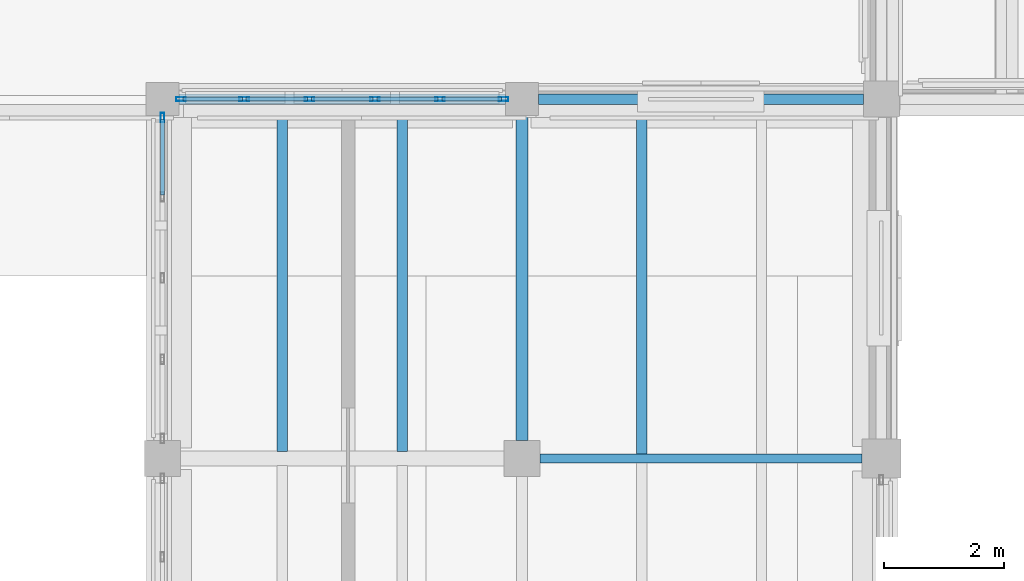
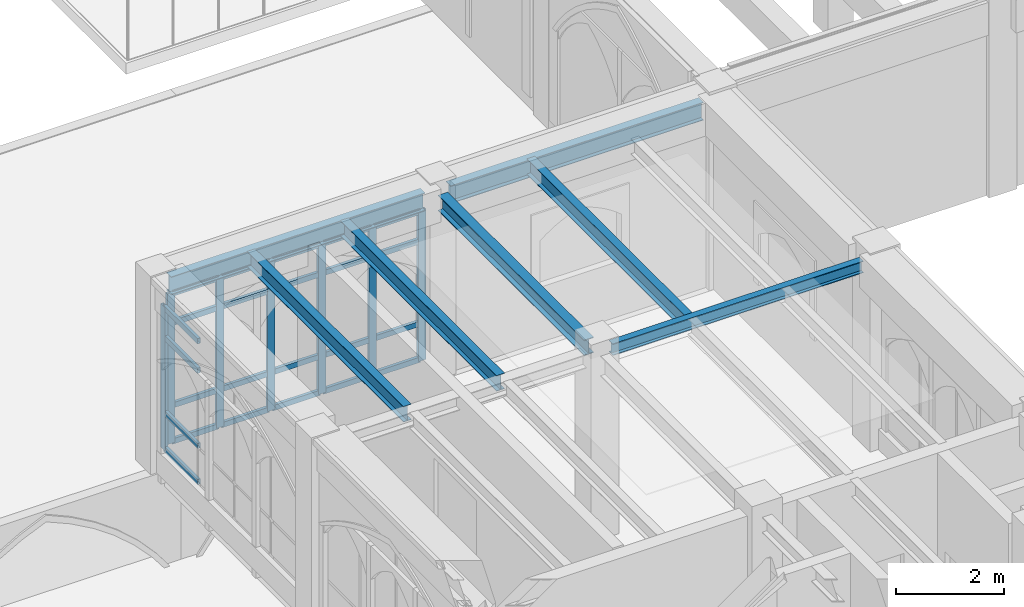
# One storey, part 24 of 127: 31 members, 7 beams, 2 elements without a shape of their own.
"""IFC4 building model written with IfcOpenShell, lengths in metres."""

import ifcopenshell
import ifcopenshell.guid

model = None  # the IFC model being written
_history = None  # IfcOwnerHistory: only IFC2X3 demands one
_inside = {}  # id of a spatial element -> (the spatial element, [elements in it])
_under = {}  # id of a project, library or spatial element -> (it, [spatial elements below it])
_declared = {}  # id of a project -> (the project, [libraries it declares])
_typed = {}  # id of a type object -> (the type object, [elements of that type])
_made_of = {}  # id of a material, layer set ... -> (it, [elements and type objects made of it])


def new_model(schema):
    """Start an empty IFC model of exactly this schema.

    Asked for "IFC4X3", IfcOpenShell would pick the latest addendum, in which some entities
    have other attributes; the version numbers below select the first issue.
    IFC2X3 requires an IfcOwnerHistory on every rooted entity: one is made here for all.
    """
    global model, _history
    if schema == "IFC4X3":
        model = ifcopenshell.file(schema_version=(4, 3, 0, 0))
    else:
        model = ifcopenshell.file(schema=schema)
    _inside.clear()
    _under.clear()
    _declared.clear()
    _typed.clear()
    _made_of.clear()
    _history = None
    if model.schema == "IFC2X3":
        org = make("IfcOrganization", Name="unknown")
        user = make(
            "IfcPersonAndOrganization",
            ThePerson=make("IfcPerson", FamilyName="unknown"),
            TheOrganization=org,
        )
        app = make(
            "IfcApplication",
            ApplicationDeveloper=org,
            Version="unknown",
            ApplicationFullName="unknown",
            ApplicationIdentifier="unknown",
        )
        _history = make(
            "IfcOwnerHistory",
            OwningUser=user,
            OwningApplication=app,
            ChangeAction="ADDED",
            CreationDate=0,
        )
    return model


def make(cls, **values):
    """One entity of the class cls with the attributes given. An attribute that is None is left unset."""
    return model.create_entity(
        cls, **{name: value for name, value in values.items() if value is not None}
    )


def rooted(cls, **values):
    """An entity with a GlobalId (a new one), such as an element, a storey or a relation."""
    return make(cls, GlobalId=ifcopenshell.guid.new(), OwnerHistory=_history, **values)


def si_unit(unit_type, name, prefix=None):
    """IfcSIUnit, for example si_unit("LENGTHUNIT", "METRE", prefix="MILLI")."""
    return make("IfcSIUnit", UnitType=unit_type, Prefix=prefix, Name=name)


def assignment(units):
    """IfcUnitAssignment: the units of a project."""
    return None if units is None else make("IfcUnitAssignment", Units=units)


def point(xyz):
    """IfcCartesianPoint."""
    return None if xyz is None else make("IfcCartesianPoint", Coordinates=xyz)


def direction(xyz):
    """IfcDirection."""
    return None if xyz is None else make("IfcDirection", DirectionRatios=xyz)


def frame(location, z_axis=None, x_axis=None):
    """IfcAxis2Placement3D, a coordinate frame: its origin and axes. An axis left out is left unset."""
    return make(
        "IfcAxis2Placement3D",
        Location=point(location),
        Axis=direction(z_axis),
        RefDirection=direction(x_axis),
    )


def frame_2d(location, x_axis=None):
    """IfcAxis2Placement2D, a coordinate frame in the plane: its origin and x axis."""
    return make(
        "IfcAxis2Placement2D", Location=point(location), RefDirection=direction(x_axis)
    )


def origin():
    """The frame at (0, 0, 0) with its axes left unset."""
    return frame((0.0, 0.0, 0.0))


def origin_2d():
    """The frame at (0, 0) in the plane with its x axis left unset."""
    return frame_2d((0.0, 0.0))


def place(relative_to, where):
    """IfcLocalPlacement: puts the frame where relative to a parent placement (None: the world)."""
    return make(
        "IfcLocalPlacement", PlacementRelTo=relative_to, RelativePlacement=where
    )


def context(
    kind, dimensions, precision=None, world=None, true_north=None, identifier=None
):
    """IfcGeometricRepresentationContext, for example the 3D "Model" context."""
    return make(
        "IfcGeometricRepresentationContext",
        ContextIdentifier=identifier,
        ContextType=kind,
        CoordinateSpaceDimension=dimensions,
        Precision=precision,
        WorldCoordinateSystem=world,
        TrueNorth=true_north,
    )


def subcontext(parent, identifier, kind, view, scale=None):
    """IfcGeometricRepresentationSubContext, for example "Body" below "Model"."""
    return make(
        "IfcGeometricRepresentationSubContext",
        ContextIdentifier=identifier,
        ContextType=kind,
        ParentContext=parent,
        TargetScale=scale,
        TargetView=view,
    )


def project(units=None, contexts=None):
    """IfcProject with its units and contexts."""
    return rooted(
        "IfcProject",
        Name="project",
        RepresentationContexts=contexts,
        UnitsInContext=assignment(units),
    )


def spatial(cls, under=None, at=None, **own):
    """A site, building, storey or space (cls), placed at a placement, below another one or the project."""
    s = rooted(cls, ObjectPlacement=at, **own)
    if under is not None:
        _under.setdefault(under.id(), (under, []))[1].append(s)
    return s


def profile(cls, at=None, kind="AREA", **sizes):
    """A parametric profile (cls). Its sizes go by their IFC names, for example OverallWidth=200.0."""
    return make(cls, ProfileType=kind, Position=at, **sizes)


def hollow_rectangle(**sizes):
    """IfcRectangleHollowProfileDef."""
    return profile("IfcRectangleHollowProfileDef", **sizes)


def i_section(**sizes):
    """IfcIShapeProfileDef."""
    return profile("IfcIShapeProfileDef", **sizes)


def extrude(swept, where, along, depth):
    """IfcExtrudedAreaSolid: the profile swept, set in the frame where, extruded along a direction by depth."""
    return make(
        "IfcExtrudedAreaSolid",
        SweptArea=swept,
        Position=where,
        ExtrudedDirection=direction(along),
        Depth=depth,
    )


def shape(context_of_items, identifier, shape_type, items):
    """IfcShapeRepresentation: the items that make up one representation, for example the "Body"."""
    return make(
        "IfcShapeRepresentation",
        ContextOfItems=context_of_items,
        RepresentationIdentifier=identifier,
        RepresentationType=shape_type,
        Items=items,
    )


def material(Name=None, Category=None):
    """IfcMaterial."""
    return make("IfcMaterial", Name=Name, Category=Category)


def layer(
    of_material, thickness, ventilated=None, Name=None, Category=None, Priority=None
):
    """IfcMaterialLayer: one layer of a wall or slab, of a material (None: an air gap)."""
    return make(
        "IfcMaterialLayer",
        Material=of_material,
        LayerThickness=thickness,
        IsVentilated=ventilated,
        Name=Name,
        Category=Category,
        Priority=Priority,
    )


def layer_set(layers, Name=None):
    """IfcMaterialLayerSet."""
    return make("IfcMaterialLayerSet", MaterialLayers=layers, LayerSetName=Name)


def material_profile(
    of_material, cross_section, Name=None, Category=None, Priority=None
):
    """IfcMaterialProfile: a cross section and its material."""
    return make(
        "IfcMaterialProfile",
        Name=Name,
        Material=of_material,
        Profile=cross_section,
        Priority=Priority,
        Category=Category,
    )


def profile_set(profiles, Name=None, composite=None):
    """IfcMaterialProfileSet."""
    return make(
        "IfcMaterialProfileSet",
        Name=Name,
        MaterialProfiles=profiles,
        CompositeProfile=composite,
    )


def made_of(thing, what):
    """Note that an element or type object is made of a material, layer set ...; save() writes the relation."""
    if what is not None:
        _made_of.setdefault(what.id(), (what, []))[1].append(thing)
    return thing


def type_object(cls, material=None, **own):
    """A type object (cls), such as IfcWallType, which elements share."""
    return made_of(rooted(cls, **own), material)


def element(
    cls,
    number,
    at=None,
    inside=None,
    cuts=None,
    type_object=None,
    material=None,
    context=None,
    identifier="Body",
    shape_type=None,
    held_by="IfcProductDefinitionShape",
    body=None,
    shapes=None,
    **own,
):
    """One element of the class cls, such as IfcWall. Its Tag is "e" and its number.

    at: its placement. inside: the storey or other place that contains it. cuts: it is an
    opening in that element (IfcRelVoidsElement). A single representation is given by context,
    identifier, shape_type and body (its items); several are given by shapes. held_by: the class
    of the entity that holds the representations. save() writes the other relations.
    """
    e = rooted(cls, Tag="e%d" % number, ObjectPlacement=at, **own)
    if body is not None:
        shapes = [shape(context, identifier, shape_type, body)]
    if shapes is not None:
        e.Representation = make(held_by, Representations=shapes)
    if inside is not None:
        _inside.setdefault(inside.id(), (inside, []))[1].append(e)
    if cuts is not None:
        rooted(
            "IfcRelVoidsElement", RelatingBuildingElement=cuts, RelatedOpeningElement=e
        )
    if type_object is not None:
        _typed.setdefault(type_object.id(), (type_object, []))[1].append(e)
    return made_of(e, material)


def aggregate(whole, parts):
    """IfcRelAggregates: a whole, such as a stair, and the parts it consists of."""
    return rooted("IfcRelAggregates", RelatingObject=whole, RelatedObjects=parts)


def save(model, path):
    """Write the relations noted so far, then the file.

    IfcRelAggregates (storeys below a building ...), IfcRelContainedInSpatialStructure (elements
    in a storey), IfcRelDefinesByType, IfcRelAssociatesMaterial and IfcRelDeclares: one each for
    every whole, place, type object, material and project.
    """
    for whole, parts in _under.values():
        aggregate(whole, parts)
    for where, things in _inside.values():
        rooted(
            "IfcRelContainedInSpatialStructure",
            RelatedElements=things,
            RelatingStructure=where,
        )
    for kind, things in _typed.values():
        rooted("IfcRelDefinesByType", RelatedObjects=things, RelatingType=kind)
    for what, things in _made_of.values():
        rooted("IfcRelAssociatesMaterial", RelatedObjects=things, RelatingMaterial=what)
    for by, libraries in _declared.values():
        rooted("IfcRelDeclares", RelatingContext=by, RelatedDefinitions=libraries)
    model.write(path)


model = new_model("IFC4")

# Units and contexts
model_context = context("Model", 3, precision=1e-05, world=origin(), true_north=direction((0.0, 1.0)))
body_context = subcontext(model_context, "Body", "Model", "MODEL_VIEW")
ifc_project = project(units=[si_unit("LENGTHUNIT", "METRE"), si_unit("AREAUNIT", "SQUARE_METRE"), si_unit("VOLUMEUNIT", "CUBIC_METRE"), si_unit("PLANEANGLEUNIT", "RADIAN"), si_unit("MASSUNIT", "GRAM", prefix="KILO")], contexts=[model_context])

# Site, building, storey
site_placement = place(None, origin())
site = spatial("IfcSite", under=ifc_project, at=site_placement, CompositionType="ELEMENT")
building_placement = place(site_placement, origin())
building = spatial("IfcBuilding", under=site, at=building_placement, Name="Cumevento Cable Car Station", CompositionType="ELEMENT")
storey_placement = place(building_placement, frame((0.0, 0.0, 4.5)))
storey = spatial("IfcBuildingStorey", under=building, at=storey_placement, Name="L02", CompositionType="ELEMENT", Elevation=4.5)

# Curtain wall, members
ifc_material_1 = material(Name="Anodised Bronze Aluminium AW-6063-T6", Category="aluminium")
ifc_layer_1 = layer(ifc_material_1, 0.18408203125)
ifc_layer_set_1 = layer_set([ifc_layer_1], Name="Anodised Bronze Aluminium AW-6063-T6")
curtain_wall_type_1 = type_object("IfcCurtainWallType", Name="Lancet Curtain Wall CW-05 1210", PredefinedType="NOTDEFINED", material=ifc_layer_set_1)
curtain_wall_1_placement = place(storey_placement, origin())
curtain_wall_1 = element("IfcCurtainWall", 1, at=curtain_wall_1_placement, inside=storey, type_object=curtain_wall_type_1, Name="Lancet Curtain Wall CW-05 L02 #52", PredefinedType="NOTDEFINED")
ifc_material_2 = material(Name="Anodised Bronze Aluminium AW-6063-T6", Category="aluminium")
ifc_material_profile_1 = material_profile(ifc_material_2, hollow_rectangle(XDim=0.06494140625, YDim=0.159912109375, WallThickness=0.00390625, at=origin_2d()), Name="ALUM65x160x4")
ifc_profile_set_1 = profile_set([ifc_material_profile_1], Name="Anodised Bronze Aluminium AW-6063-T6")
member_type_1 = type_object("IfcMemberType", Name="Curtain Mullion CWM-01 ALUM65x160x4", PredefinedType="MULLION", material=ifc_profile_set_1)
member_1_placement = place(storey_placement, frame((10.3076171875, 45.0, 0.360107421875), z_axis=(0.0, 0.0, 1.0), x_axis=(0.0, 1.0, 0.0)))
member_1 = element("IfcMember", 2, at=member_1_placement, type_object=member_type_1, Name="CW-05 mullion 1", PredefinedType="MULLION", context=body_context, shape_type="SweptSolid", body=[
    extrude(hollow_rectangle(XDim=0.06494140625, YDim=0.159912109375, WallThickness=0.00390625, at=origin_2d()), origin(), (0.0, 0.0, 1.0), 3.41796875),
])
member_2_placement = place(storey_placement, frame((11.364990234375, 45.0, 0.360107421875), z_axis=(0.0, 0.0, 1.0), x_axis=(0.0, 1.0, 0.0)))
member_2 = element("IfcMember", 3, at=member_2_placement, type_object=member_type_1, Name="CW-05 mullion 2", PredefinedType="MULLION", context=body_context, shape_type="SweptSolid", body=[
    extrude(hollow_rectangle(XDim=0.06494140625, YDim=0.159912109375, WallThickness=0.00390625, at=origin_2d()), origin(), (0.0, 0.0, 1.0), 3.41796875),
])
member_3_placement = place(storey_placement, frame((12.455078125, 45.0, 0.360107421875), z_axis=(0.0, 0.0, 1.0), x_axis=(0.0, 1.0, 0.0)))
member_3 = element("IfcMember", 4, at=member_3_placement, type_object=member_type_1, Name="CW-05 mullion 3", PredefinedType="MULLION", context=body_context, shape_type="SweptSolid", body=[
    extrude(hollow_rectangle(XDim=0.06494140625, YDim=0.159912109375, WallThickness=0.00390625, at=origin_2d()), origin(), (0.0, 0.0, 1.0), 3.41796875),
])
member_4_placement = place(storey_placement, frame((13.544921875, 45.0, 0.360107421875), z_axis=(0.0, 0.0, 1.0), x_axis=(0.0, 1.0, 0.0)))
member_4 = element("IfcMember", 5, at=member_4_placement, type_object=member_type_1, Name="CW-05 mullion 4", PredefinedType="MULLION", context=body_context, shape_type="SweptSolid", body=[
    extrude(hollow_rectangle(XDim=0.06494140625, YDim=0.159912109375, WallThickness=0.00390625, at=origin_2d()), origin(), (0.0, 0.0, 1.0), 3.41796875),
])
member_5_placement = place(storey_placement, frame((14.635009765625, 45.0, 0.360107421875), z_axis=(0.0, 0.0, 1.0), x_axis=(0.0, 1.0, 0.0)))
member_5 = element("IfcMember", 6, at=member_5_placement, type_object=member_type_1, Name="CW-05 mullion 5", PredefinedType="MULLION", context=body_context, shape_type="SweptSolid", body=[
    extrude(hollow_rectangle(XDim=0.06494140625, YDim=0.159912109375, WallThickness=0.00390625, at=origin_2d()), origin(), (0.0, 0.0, 1.0), 3.41796875),
])
member_6_placement = place(storey_placement, frame((15.6923828125, 45.0, 0.360107421875), z_axis=(0.0, 0.0, 1.0), x_axis=(0.0, 1.0, 0.0)))
member_6 = element("IfcMember", 7, at=member_6_placement, type_object=member_type_1, Name="CW-05 mullion 6", PredefinedType="MULLION", context=body_context, shape_type="SweptSolid", body=[
    extrude(hollow_rectangle(XDim=0.06494140625, YDim=0.159912109375, WallThickness=0.00390625, at=origin_2d()), origin(), (0.0, 0.0, 1.0), 3.41796875),
])

# Curtain wall, member
ifc_material_3 = material(Name="Anodised Bronze Aluminium AW-6063-T6", Category="aluminium")
ifc_layer_2 = layer(ifc_material_3, 0.201904296875)
ifc_layer_set_2 = layer_set([ifc_layer_2], Name="Anodised Bronze Aluminium AW-6063-T6")
curtain_wall_type_2 = type_object("IfcCurtainWallType", Name="Lancet Curtain Wall CW-08 1330", PredefinedType="NOTDEFINED", material=ifc_layer_set_2)
curtain_wall_2_placement = place(storey_placement, origin())
curtain_wall_2 = element("IfcCurtainWall", 8, at=curtain_wall_2_placement, inside=storey, type_object=curtain_wall_type_2, Name="Lancet Curtain Wall CW-08 L02 #55", PredefinedType="NOTDEFINED")
member_7_placement = place(storey_placement, frame((10.0, 44.6923828125, 0.52001953125), z_axis=(0.0, 0.0, 1.0), x_axis=(-1.0, 0.0, 0.0)))
member_7 = element("IfcMember", 9, at=member_7_placement, type_object=member_type_1, Name="CW-08 mullion 5", PredefinedType="MULLION", context=body_context, shape_type="SweptSolid", body=[
    extrude(hollow_rectangle(XDim=0.06494140625, YDim=0.159912109375, WallThickness=0.00390625, at=origin_2d()), origin(), (0.0, 0.0, 1.0), 3.258056640625),
])

# Member
ifc_material_4 = material(Name="Anodised Bronze Aluminium AW-6063-T6", Category="aluminium")
ifc_material_profile_2 = material_profile(ifc_material_4, hollow_rectangle(XDim=0.06494140625, YDim=0.1201171875, WallThickness=0.00390625, at=origin_2d()), Name="ALUT65x120x4")
ifc_profile_set_2 = profile_set([ifc_material_profile_2], Name="Anodised Bronze Aluminium AW-6063-T6")
member_type_2 = type_object("IfcMemberType", Name="Curtain Transom CWT-01 ALUT65x120x4", PredefinedType="USERDEFINED", material=ifc_profile_set_2)
member_8_placement = place(storey_placement, frame((10.340087890625, 45.0, 0.392578125), z_axis=(1.0, 0.0, 0.0), x_axis=(0.0, 1.0, 0.0)))
member_8 = element("IfcMember", 10, at=member_8_placement, type_object=member_type_2, Name="CW-05 transom 1.1", ObjectType="TRANSOM", PredefinedType="USERDEFINED", context=body_context, shape_type="SweptSolid", body=[
    extrude(hollow_rectangle(XDim=0.06494140625, YDim=0.1201171875, WallThickness=0.00390625, at=origin_2d()), origin(), (0.0, 0.0, 1.0), 0.992431640625),
])

member_9_placement = place(storey_placement, frame((10.340087890625, 45.0, 1.2099609375), z_axis=(1.0, 0.0, 0.0), x_axis=(0.0, 1.0, 0.0)))
member_9 = element("IfcMember", 11, at=member_9_placement, type_object=member_type_2, Name="CW-05 transom 1.2", ObjectType="TRANSOM", PredefinedType="USERDEFINED", context=body_context, shape_type="SweptSolid", body=[
    extrude(hollow_rectangle(XDim=0.06494140625, YDim=0.1201171875, WallThickness=0.00390625, at=origin_2d()), origin(), (0.0, 0.0, 1.0), 0.992431640625),
])

member_10_placement = place(storey_placement, frame((10.340087890625, 45.0, 3.077880859375), z_axis=(1.0, 0.0, 0.0), x_axis=(0.0, 1.0, 0.0)))
member_10 = element("IfcMember", 12, at=member_10_placement, type_object=member_type_2, Name="CW-05 transom 1.3", ObjectType="TRANSOM", PredefinedType="USERDEFINED", context=body_context, shape_type="SweptSolid", body=[
    extrude(hollow_rectangle(XDim=0.06494140625, YDim=0.1201171875, WallThickness=0.00390625, at=origin_2d()), origin(), (0.0, 0.0, 1.0), 0.992431640625),
])

member_11_placement = place(storey_placement, frame((10.340087890625, 45.0, 3.74560546875), z_axis=(1.0, 0.0, 0.0), x_axis=(0.0, 1.0, 0.0)))
member_11 = element("IfcMember", 13, at=member_11_placement, type_object=member_type_2, Name="CW-05 transom 1.4", ObjectType="TRANSOM", PredefinedType="USERDEFINED", context=body_context, shape_type="SweptSolid", body=[
    extrude(hollow_rectangle(XDim=0.06494140625, YDim=0.1201171875, WallThickness=0.00390625, at=origin_2d()), origin(), (0.0, 0.0, 1.0), 0.992431640625),
])

member_12_placement = place(storey_placement, frame((11.3974609375, 45.0, 0.392578125), z_axis=(1.0, 0.0, 0.0), x_axis=(0.0, 1.0, 0.0)))
member_12 = element("IfcMember", 14, at=member_12_placement, type_object=member_type_2, Name="CW-05 transom 2.1", ObjectType="TRANSOM", PredefinedType="USERDEFINED", context=body_context, shape_type="SweptSolid", body=[
    extrude(hollow_rectangle(XDim=0.06494140625, YDim=0.1201171875, WallThickness=0.00390625, at=origin_2d()), origin(), (0.0, 0.0, 1.0), 1.025146484375),
])

member_13_placement = place(storey_placement, frame((11.3974609375, 45.0, 1.2099609375), z_axis=(1.0, 0.0, 0.0), x_axis=(0.0, 1.0, 0.0)))
member_13 = element("IfcMember", 15, at=member_13_placement, type_object=member_type_2, Name="CW-05 transom 2.2", ObjectType="TRANSOM", PredefinedType="USERDEFINED", context=body_context, shape_type="SweptSolid", body=[
    extrude(hollow_rectangle(XDim=0.06494140625, YDim=0.1201171875, WallThickness=0.00390625, at=origin_2d()), origin(), (0.0, 0.0, 1.0), 1.025146484375),
])

member_14_placement = place(storey_placement, frame((11.3974609375, 45.0, 3.077880859375), z_axis=(1.0, 0.0, 0.0), x_axis=(0.0, 1.0, 0.0)))
member_14 = element("IfcMember", 16, at=member_14_placement, type_object=member_type_2, Name="CW-05 transom 2.3", ObjectType="TRANSOM", PredefinedType="USERDEFINED", context=body_context, shape_type="SweptSolid", body=[
    extrude(hollow_rectangle(XDim=0.06494140625, YDim=0.1201171875, WallThickness=0.00390625, at=origin_2d()), origin(), (0.0, 0.0, 1.0), 1.025146484375),
])

member_15_placement = place(storey_placement, frame((11.3974609375, 45.0, 3.74560546875), z_axis=(1.0, 0.0, 0.0), x_axis=(0.0, 1.0, 0.0)))
member_15 = element("IfcMember", 17, at=member_15_placement, type_object=member_type_2, Name="CW-05 transom 2.4", ObjectType="TRANSOM", PredefinedType="USERDEFINED", context=body_context, shape_type="SweptSolid", body=[
    extrude(hollow_rectangle(XDim=0.06494140625, YDim=0.1201171875, WallThickness=0.00390625, at=origin_2d()), origin(), (0.0, 0.0, 1.0), 1.025146484375),
])

member_16_placement = place(storey_placement, frame((12.487548828125, 45.0, 0.392578125), z_axis=(1.0, 0.0, 0.0), x_axis=(0.0, 1.0, 0.0)))
member_16 = element("IfcMember", 18, at=member_16_placement, type_object=member_type_2, Name="CW-05 transom 3.1", ObjectType="TRANSOM", PredefinedType="USERDEFINED", context=body_context, shape_type="SweptSolid", body=[
    extrude(hollow_rectangle(XDim=0.06494140625, YDim=0.1201171875, WallThickness=0.00390625, at=origin_2d()), origin(), (0.0, 0.0, 1.0), 1.02490234375),
])

member_17_placement = place(storey_placement, frame((12.487548828125, 45.0, 1.2099609375), z_axis=(1.0, 0.0, 0.0), x_axis=(0.0, 1.0, 0.0)))
member_17 = element("IfcMember", 19, at=member_17_placement, type_object=member_type_2, Name="CW-05 transom 3.2", ObjectType="TRANSOM", PredefinedType="USERDEFINED", context=body_context, shape_type="SweptSolid", body=[
    extrude(hollow_rectangle(XDim=0.06494140625, YDim=0.1201171875, WallThickness=0.00390625, at=origin_2d()), origin(), (0.0, 0.0, 1.0), 1.02490234375),
])

member_18_placement = place(storey_placement, frame((12.487548828125, 45.0, 3.077880859375), z_axis=(1.0, 0.0, 0.0), x_axis=(0.0, 1.0, 0.0)))
member_18 = element("IfcMember", 20, at=member_18_placement, type_object=member_type_2, Name="CW-05 transom 3.3", ObjectType="TRANSOM", PredefinedType="USERDEFINED", context=body_context, shape_type="SweptSolid", body=[
    extrude(hollow_rectangle(XDim=0.06494140625, YDim=0.1201171875, WallThickness=0.00390625, at=origin_2d()), origin(), (0.0, 0.0, 1.0), 1.02490234375),
])

member_19_placement = place(storey_placement, frame((12.487548828125, 45.0, 3.74560546875), z_axis=(1.0, 0.0, 0.0), x_axis=(0.0, 1.0, 0.0)))
member_19 = element("IfcMember", 21, at=member_19_placement, type_object=member_type_2, Name="CW-05 transom 3.4", ObjectType="TRANSOM", PredefinedType="USERDEFINED", context=body_context, shape_type="SweptSolid", body=[
    extrude(hollow_rectangle(XDim=0.06494140625, YDim=0.1201171875, WallThickness=0.00390625, at=origin_2d()), origin(), (0.0, 0.0, 1.0), 1.02490234375),
])

member_20_placement = place(storey_placement, frame((13.577392578125, 45.0, 0.392578125), z_axis=(1.0, 0.0, 0.0), x_axis=(0.0, 1.0, 0.0)))
member_20 = element("IfcMember", 22, at=member_20_placement, type_object=member_type_2, Name="CW-05 transom 4.1", ObjectType="TRANSOM", PredefinedType="USERDEFINED", context=body_context, shape_type="SweptSolid", body=[
    extrude(hollow_rectangle(XDim=0.06494140625, YDim=0.1201171875, WallThickness=0.00390625, at=origin_2d()), origin(), (0.0, 0.0, 1.0), 1.025146484375),
])

member_21_placement = place(storey_placement, frame((13.577392578125, 45.0, 1.2099609375), z_axis=(1.0, 0.0, 0.0), x_axis=(0.0, 1.0, 0.0)))
member_21 = element("IfcMember", 23, at=member_21_placement, type_object=member_type_2, Name="CW-05 transom 4.2", ObjectType="TRANSOM", PredefinedType="USERDEFINED", context=body_context, shape_type="SweptSolid", body=[
    extrude(hollow_rectangle(XDim=0.06494140625, YDim=0.1201171875, WallThickness=0.00390625, at=origin_2d()), origin(), (0.0, 0.0, 1.0), 1.025146484375),
])

member_22_placement = place(storey_placement, frame((13.577392578125, 45.0, 3.077880859375), z_axis=(1.0, 0.0, 0.0), x_axis=(0.0, 1.0, 0.0)))
member_22 = element("IfcMember", 24, at=member_22_placement, type_object=member_type_2, Name="CW-05 transom 4.3", ObjectType="TRANSOM", PredefinedType="USERDEFINED", context=body_context, shape_type="SweptSolid", body=[
    extrude(hollow_rectangle(XDim=0.06494140625, YDim=0.1201171875, WallThickness=0.00390625, at=origin_2d()), origin(), (0.0, 0.0, 1.0), 1.025146484375),
])

member_23_placement = place(storey_placement, frame((13.577392578125, 45.0, 3.74560546875), z_axis=(1.0, 0.0, 0.0), x_axis=(0.0, 1.0, 0.0)))
member_23 = element("IfcMember", 25, at=member_23_placement, type_object=member_type_2, Name="CW-05 transom 4.4", ObjectType="TRANSOM", PredefinedType="USERDEFINED", context=body_context, shape_type="SweptSolid", body=[
    extrude(hollow_rectangle(XDim=0.06494140625, YDim=0.1201171875, WallThickness=0.00390625, at=origin_2d()), origin(), (0.0, 0.0, 1.0), 1.025146484375),
])

member_24_placement = place(storey_placement, frame((14.66748046875, 45.0, 0.392578125), z_axis=(1.0, 0.0, 0.0), x_axis=(0.0, 1.0, 0.0)))
member_24 = element("IfcMember", 26, at=member_24_placement, type_object=member_type_2, Name="CW-05 transom 5.1", ObjectType="TRANSOM", PredefinedType="USERDEFINED", context=body_context, shape_type="SweptSolid", body=[
    extrude(hollow_rectangle(XDim=0.06494140625, YDim=0.1201171875, WallThickness=0.00390625, at=origin_2d()), origin(), (0.0, 0.0, 1.0), 0.992431640625),
])

member_25_placement = place(storey_placement, frame((14.66748046875, 45.0, 1.2099609375), z_axis=(1.0, 0.0, 0.0), x_axis=(0.0, 1.0, 0.0)))
member_25 = element("IfcMember", 27, at=member_25_placement, type_object=member_type_2, Name="CW-05 transom 5.2", ObjectType="TRANSOM", PredefinedType="USERDEFINED", context=body_context, shape_type="SweptSolid", body=[
    extrude(hollow_rectangle(XDim=0.06494140625, YDim=0.1201171875, WallThickness=0.00390625, at=origin_2d()), origin(), (0.0, 0.0, 1.0), 0.992431640625),
])

member_26_placement = place(storey_placement, frame((14.66748046875, 45.0, 3.077880859375), z_axis=(1.0, 0.0, 0.0), x_axis=(0.0, 1.0, 0.0)))
member_26 = element("IfcMember", 28, at=member_26_placement, type_object=member_type_2, Name="CW-05 transom 5.3", ObjectType="TRANSOM", PredefinedType="USERDEFINED", context=body_context, shape_type="SweptSolid", body=[
    extrude(hollow_rectangle(XDim=0.06494140625, YDim=0.1201171875, WallThickness=0.00390625, at=origin_2d()), origin(), (0.0, 0.0, 1.0), 0.992431640625),
])

member_27_placement = place(storey_placement, frame((14.66748046875, 45.0, 3.74560546875), z_axis=(1.0, 0.0, 0.0), x_axis=(0.0, 1.0, 0.0)))
member_27 = element("IfcMember", 29, at=member_27_placement, type_object=member_type_2, Name="CW-05 transom 5.4", ObjectType="TRANSOM", PredefinedType="USERDEFINED", context=body_context, shape_type="SweptSolid", body=[
    extrude(hollow_rectangle(XDim=0.06494140625, YDim=0.1201171875, WallThickness=0.00390625, at=origin_2d()), origin(), (0.0, 0.0, 1.0), 0.992431640625),
])

aggregate(curtain_wall_1, [member_1, member_2, member_3, member_4, member_5, member_6, member_8, member_9, member_10, member_11, member_12, member_13, member_14, member_15, member_16, member_17, member_18, member_19, member_20, member_21, member_22, member_23, member_24, member_25, member_26, member_27])

member_28_placement = place(storey_placement, frame((10.0, 43.4013671875, 0.552490234375), z_axis=(0.0, 1.0, 0.0), x_axis=(-1.0, 0.0, 0.0)))
member_28 = element("IfcMember", 30, at=member_28_placement, type_object=member_type_2, Name="CW-08 transom 4.1", ObjectType="TRANSOM", PredefinedType="USERDEFINED", context=body_context, shape_type="SweptSolid", body=[
    extrude(hollow_rectangle(XDim=0.06494140625, YDim=0.1201171875, WallThickness=0.00390625, at=origin_2d()), origin(), (0.0, 0.0, 1.0), 1.258544921875),
])

member_29_placement = place(storey_placement, frame((10.0, 43.4013671875, 1.3701171875), z_axis=(0.0, 1.0, 0.0), x_axis=(-1.0, 0.0, 0.0)))
member_29 = element("IfcMember", 31, at=member_29_placement, type_object=member_type_2, Name="CW-08 transom 4.2", ObjectType="TRANSOM", PredefinedType="USERDEFINED", context=body_context, shape_type="SweptSolid", body=[
    extrude(hollow_rectangle(XDim=0.06494140625, YDim=0.1201171875, WallThickness=0.00390625, at=origin_2d()), origin(), (0.0, 0.0, 1.0), 1.258544921875),
])

member_30_placement = place(storey_placement, frame((10.0, 43.4013671875, 3.077880859375), z_axis=(0.0, 1.0, 0.0), x_axis=(-1.0, 0.0, 0.0)))
member_30 = element("IfcMember", 32, at=member_30_placement, type_object=member_type_2, Name="CW-08 transom 4.3", ObjectType="TRANSOM", PredefinedType="USERDEFINED", context=body_context, shape_type="SweptSolid", body=[
    extrude(hollow_rectangle(XDim=0.06494140625, YDim=0.1201171875, WallThickness=0.00390625, at=origin_2d()), origin(), (0.0, 0.0, 1.0), 1.258544921875),
])

member_31_placement = place(storey_placement, frame((10.0, 43.4013671875, 3.74560546875), z_axis=(0.0, 1.0, 0.0), x_axis=(-1.0, 0.0, 0.0)))
member_31 = element("IfcMember", 33, at=member_31_placement, type_object=member_type_2, Name="CW-08 transom 4.4", ObjectType="TRANSOM", PredefinedType="USERDEFINED", context=body_context, shape_type="SweptSolid", body=[
    extrude(hollow_rectangle(XDim=0.06494140625, YDim=0.1201171875, WallThickness=0.00390625, at=origin_2d()), origin(), (0.0, 0.0, 1.0), 1.258544921875),
])

aggregate(curtain_wall_2, [member_7, member_28, member_29, member_30, member_31])

# Beams
ifc_material_5 = material(Name="Steel ASTM A572 Grade 50", Category="steel")
ifc_material_profile_3 = material_profile(ifc_material_5, i_section(OverallWidth=0.205078125, OverallDepth=0.35400390625, WebThickness=0.009521484375, FlangeThickness=0.016845703125, at=origin_2d()), Name="W360x79.0")
ifc_profile_set_3 = profile_set([ifc_material_profile_3], Name="Steel ASTM A572 Grade 50")
beam_type_1 = type_object("IfcBeamType", Name="Structural Beam BM-05 W360x79.0", PredefinedType="BEAM", material=ifc_profile_set_3)
beam_1_placement = place(storey_placement, frame((16.0, 39.300048828125, 4.008056640625), z_axis=(0.0, 1.0, 0.0), x_axis=(-1.0, 0.0, 0.0)))
element("IfcBeam", 34, at=beam_1_placement, inside=storey, type_object=beam_type_1, Name="Beam BM-05 L02 #546", PredefinedType="BEAM", context=body_context, shape_type="SweptSolid", body=[
    extrude(i_section(OverallWidth=0.205078125, OverallDepth=0.35400390625, WebThickness=0.009521484375, FlangeThickness=0.016845703125, at=origin_2d()), origin(), (0.0, 0.0, 1.0), 5.425048828125),
])
ifc_material_6 = material(Name="Steel ASTM A572 Grade 50", Category="steel")
ifc_material_profile_4 = material_profile(ifc_material_6, i_section(OverallWidth=0.14794921875, OverallDepth=0.26611328125, WebThickness=0.007568359375, FlangeThickness=0.012939453125, at=origin_2d()), Name="W250x44.8")
ifc_profile_set_4 = profile_set([ifc_material_profile_4], Name="Steel ASTM A572 Grade 50")
beam_type_2 = type_object("IfcBeamType", Name="Structural Beam BM-07 W250x44.8", PredefinedType="BEAM", material=ifc_profile_set_4)
beam_2_placement = place(storey_placement, frame((16.300048828125, 39.0, 4.052001953125), z_axis=(1.0, 0.0, 0.0), x_axis=(0.0, 1.0, 0.0)))
element("IfcBeam", 35, at=beam_2_placement, inside=storey, type_object=beam_type_2, Name="Beam BM-07 L02 #540", PredefinedType="BEAM", context=body_context, shape_type="SweptSolid", body=[
    extrude(i_section(OverallWidth=0.14794921875, OverallDepth=0.26611328125, WebThickness=0.007568359375, FlangeThickness=0.012939453125, at=origin_2d()), origin(), (0.0, 0.0, 1.0), 5.375),
])
ifc_material_7 = material(Name="Steel ASTM A572 Grade 50", Category="steel")
ifc_material_profile_5 = material_profile(ifc_material_7, i_section(OverallWidth=0.1708984375, OverallDepth=0.35498046875, WebThickness=0.007080078125, FlangeThickness=0.01171875, at=origin_2d()), Name="W360x51.0")
ifc_profile_set_5 = profile_set([ifc_material_profile_5], Name="Steel ASTM A572 Grade 50")
beam_type_3 = type_object("IfcBeamType", Name="Structural Joist JS-01 W360x51.0", PredefinedType="JOIST", material=ifc_profile_set_5)
for number, where, z_axis, x_axis, name in (
    (36, (12.0, 39.114990234375, 4.007568359375), (0.0, 1.0, 0.0), (-1.0, 0.0, 0.0), "Composite Floor Joist JS-01 L02 #781"),
    (37, (14.0, 39.114990234375, 4.007568359375), (0.0, 1.0, 0.0), (-1.0, 0.0, 0.0), "Composite Floor Joist JS-01 L02 #783"),
):
    element("IfcBeam", number, at=place(storey_placement, frame(where, z_axis=z_axis, x_axis=x_axis)), inside=storey, type_object=beam_type_3, Name=name, PredefinedType="JOIST", context=body_context, shape_type="SweptSolid", body=[
        extrude(i_section(OverallWidth=0.1708984375, OverallDepth=0.35498046875, WebThickness=0.007080078125, FlangeThickness=0.01171875, at=origin_2d()), origin(), (0.0, 0.0, 1.0), 5.80810546875),
    ])
beam_3_placement = place(storey_placement, frame((18.0, 39.06201171875, 4.007568359375), z_axis=(0.0, 1.0, 0.0), x_axis=(-1.0, 0.0, 0.0)))
element("IfcBeam", 38, at=beam_3_placement, inside=storey, type_object=beam_type_3, Name="Composite Floor Joist JS-01 L02 #785", PredefinedType="JOIST", context=body_context, shape_type="SweptSolid", body=[
    extrude(i_section(OverallWidth=0.1708984375, OverallDepth=0.35498046875, WebThickness=0.007080078125, FlangeThickness=0.01171875, at=origin_2d()), origin(), (0.0, 0.0, 1.0), 5.861083984375),
])
ifc_material_8 = material(Name="Steel ASTM A572 Grade 50", Category="steel")
ifc_material_profile_6 = material_profile(ifc_material_8, i_section(OverallWidth=0.177978515625, OverallDepth=0.406982421875, WebThickness=0.0078125, FlangeThickness=0.0126953125, at=origin_2d()), Name="W410x60.0")
ifc_profile_set_6 = profile_set([ifc_material_profile_6], Name="Steel ASTM A572 Grade 50")
beam_type_4 = type_object("IfcBeamType", Name="Structural Spandrel SP-01 W410x60.0", PredefinedType="SPANDREL", material=ifc_profile_set_6)
beam_4_placement = place(storey_placement, frame((10.27490234375, 45.0, 3.9814453125), z_axis=(1.0, 0.0, 0.0), x_axis=(0.0, 1.0, 0.0)))
element("IfcBeam", 39, at=beam_4_placement, inside=storey, type_object=beam_type_4, Name="Beam SP-01 L02 #541", PredefinedType="SPANDREL", context=body_context, shape_type="SweptSolid", body=[
    extrude(i_section(OverallWidth=0.177978515625, OverallDepth=0.406982421875, WebThickness=0.0078125, FlangeThickness=0.0126953125, at=origin_2d()), origin(), (0.0, 0.0, 1.0), 5.4501953125),
])
beam_5_placement = place(storey_placement, frame((16.27490234375, 45.0, 3.946533203125), z_axis=(1.0, 0.0, 0.0), x_axis=(0.0, 1.0, 0.0)))
element("IfcBeam", 40, at=beam_5_placement, inside=storey, type_object=beam_type_4, Name="Beam SP-01 L02 #542", PredefinedType="SPANDREL", context=body_context, shape_type="SweptSolid", body=[
    extrude(i_section(OverallWidth=0.177978515625, OverallDepth=0.406982421875, WebThickness=0.0078125, FlangeThickness=0.0126953125, at=origin_2d()), origin(), (0.0, 0.0, 1.0), 5.425048828125),
])

save(model, "model.ifc")
